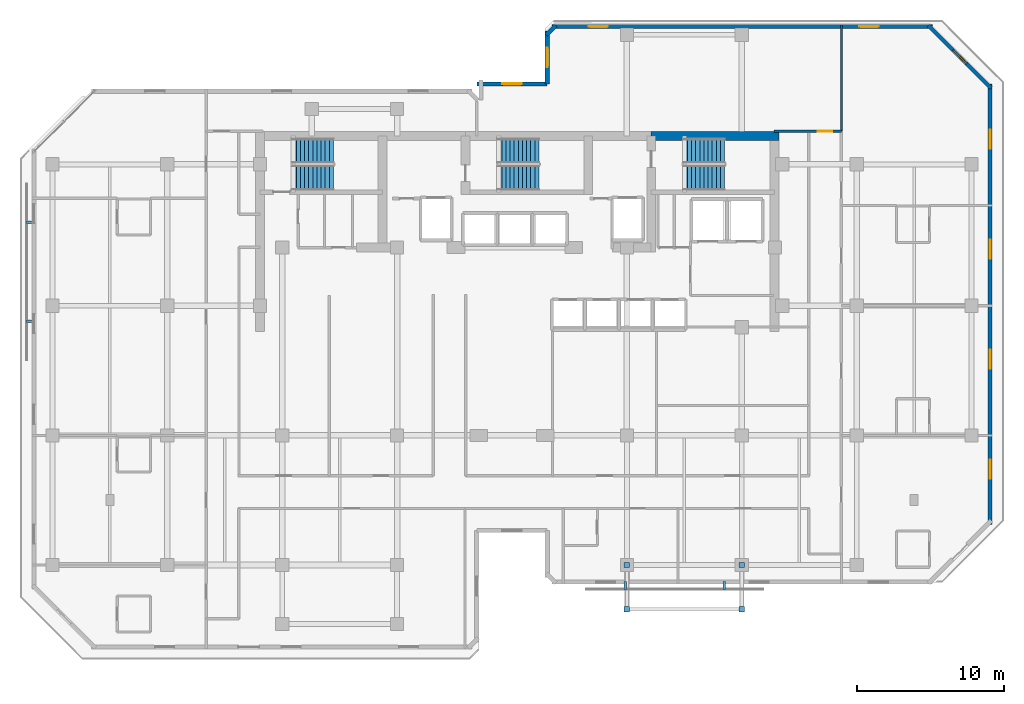
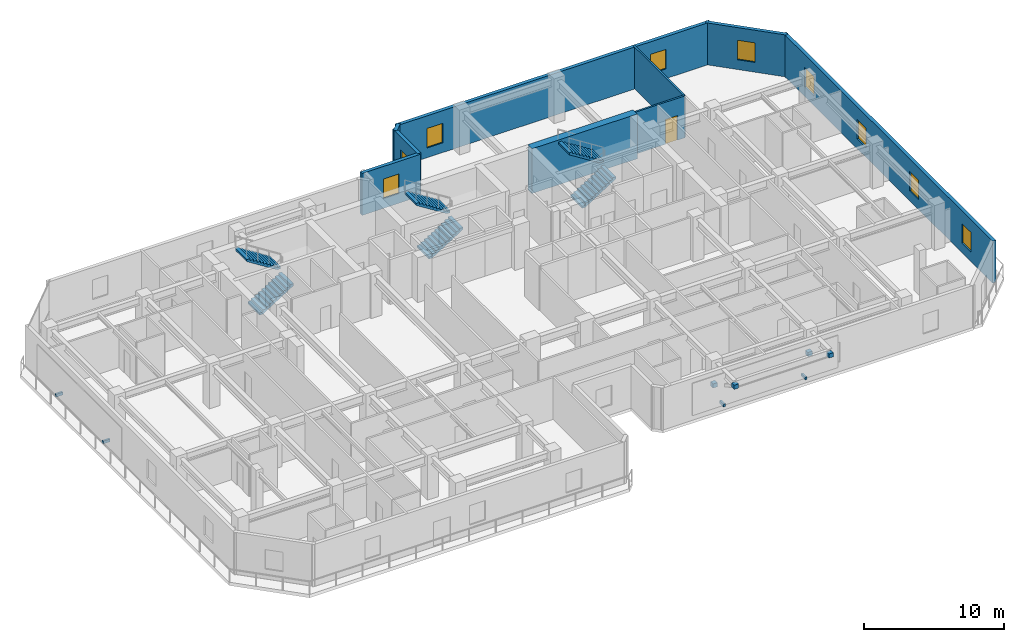
# One storey, part 8 of 10: 9 walls, 9 windows, 8 discrete accessories, 6 stair flights, 1 door, 10 openings, 3 elements without a shape of their own.
"""IFC4 building model written with IfcOpenShell, lengths in metres."""

from ifc_helpers import new_model, si_unit, direction, frame, frame_2d, origin, origin_2d, place, context, subcontext, project, spatial, polyline, rectangle, outline, extrude, material, layer, layer_set, type_object, element, fill, aggregate, save


model = new_model("IFC4")

# Units and contexts
model_context = context("Model", 3, precision=1e-05, world=origin(), true_north=direction((0.0, 1.0)))
body_context = subcontext(model_context, "Body", "Model", "MODEL_VIEW")
ifc_project = project(units=[si_unit("LENGTHUNIT", "METRE"), si_unit("AREAUNIT", "SQUARE_METRE"), si_unit("VOLUMEUNIT", "CUBIC_METRE"), si_unit("PLANEANGLEUNIT", "RADIAN"), si_unit("MASSUNIT", "GRAM", prefix="KILO")], contexts=[model_context])

# Site, building, storey
site_placement = place(None, origin())
site = spatial("IfcSite", under=ifc_project, at=site_placement, CompositionType="ELEMENT")
building_placement = place(site_placement, origin())
building = spatial("IfcBuilding", under=site, at=building_placement, Name="Kestravale Grand Hotel", CompositionType="ELEMENT")
storey_placement = place(building_placement, frame((0.0, 0.0, 189.0)))
storey = spatial("IfcBuildingStorey", under=building, at=storey_placement, Name="L47", CompositionType="ELEMENT", Elevation=189.0)

# Wall
ifc_material_1 = material(Name="Concrete f'c 50 MPa", Category="concrete")
ifc_layer_1 = layer(ifc_material_1, 0.60009765625)
ifc_layer_set_1 = layer_set([ifc_layer_1], Name="EW-CORE-600")
wall_type_1 = type_object("IfcWallType", Name="EW-CORE-600", PredefinedType="SHEAR", material=ifc_layer_set_1)
wall_1_placement = place(storey_placement, frame((48.449951171875, 40.320068359375, 0.0), z_axis=(0.0, 0.0, 1.0), x_axis=(1.0, 0.0, 0.0)))
element("IfcWall", 1, at=wall_1_placement, inside=storey, type_object=wall_type_1, Name="L47 core shear wall N3", PredefinedType="SHEAR", context=body_context, shape_type="SweptSolid", body=[
    extrude(rectangle(XDim=8.670166015625, YDim=0.60009765625, at=frame_2d((4.3349609375, 0.0))), origin(), (0.0, 0.0, 1.0), 3.89990234375),
])

# Wall, openings, windows
ifc_material_2 = material(Name="Precast concrete f'c 45 MPa", Category="concrete")
ifc_layer_2 = layer(ifc_material_2, 0.280029296875)
ifc_layer_set_2 = layer_set([ifc_layer_2], Name="EW-PREC-280")
wall_type_2 = type_object("IfcWallType", Name="EW-PREC-280", PredefinedType="SOLIDWALL", material=ifc_layer_set_2)
wall_2_placement = place(storey_placement, frame((71.4599609375, 13.9599609375, 0.0), z_axis=(0.0, 0.0, 1.0), x_axis=(0.0, 1.0, 0.0)))
wall_2 = element("IfcWall", 2, at=wall_2_placement, inside=storey, type_object=wall_type_2, Name="L47 fluted precast facade wall 9", PredefinedType="SOLIDWALL", context=body_context, shape_type="SweptSolid", body=[
    extrude(rectangle(XDim=29.880126953125, YDim=0.280029296875, at=frame_2d((14.93994140625, 0.0))), origin(), (0.0, 0.0, 1.0), 3.64990234375),
])
opening_1_placement = place(wall_2_placement, frame((3.0849609375, 0.0, 0.85009765625)))
opening_1 = element("IfcOpeningElement", 3, at=opening_1_placement, cuts=wall_2, Name="Opening W-GUEST-1300", PredefinedType="OPENING", context=body_context, shape_type="SweptSolid", body=[
    extrude(rectangle(XDim=1.300048828125, YDim=1.699951171875, at=frame_2d((0.64990234375, 0.85009765625))), frame((0.0, 0.14990234375, 0.0), z_axis=(0.0, -1.0, 0.0), x_axis=(1.0, 0.0, 0.0)), (0.0, 0.0, 1.0), 0.300048828125),
])
opening_2_placement = place(wall_2_placement, frame((10.554931640625, 0.0, 0.85009765625)))
opening_2 = element("IfcOpeningElement", 4, at=opening_2_placement, cuts=wall_2, Name="Opening W-GUEST-1300", PredefinedType="OPENING", context=body_context, shape_type="SweptSolid", body=[
    extrude(rectangle(XDim=1.300048828125, YDim=1.699951171875, at=frame_2d((0.64990234375, 0.85009765625))), frame((0.0, 0.14990234375, 0.0), z_axis=(0.0, -1.0, 0.0), x_axis=(1.0, 0.0, 0.0)), (0.0, 0.0, 1.0), 0.300048828125),
])
opening_3_placement = place(wall_2_placement, frame((18.02490234375, 0.0, 0.85009765625)))
opening_3 = element("IfcOpeningElement", 5, at=opening_3_placement, cuts=wall_2, Name="Opening W-GUEST-1300", PredefinedType="OPENING", context=body_context, shape_type="SweptSolid", body=[
    extrude(rectangle(XDim=1.300048828125, YDim=1.699951171875, at=frame_2d((0.64990234375, 0.85009765625))), frame((0.0, 0.14990234375, 0.0), z_axis=(0.0, -1.0, 0.0), x_axis=(1.0, 0.0, 0.0)), (0.0, 0.0, 1.0), 0.300048828125),
])
opening_4_placement = place(wall_2_placement, frame((25.4951171875, 0.0, 0.85009765625)))
opening_4 = element("IfcOpeningElement", 6, at=opening_4_placement, cuts=wall_2, Name="Opening W-GUEST-1300", PredefinedType="OPENING", context=body_context, shape_type="SweptSolid", body=[
    extrude(rectangle(XDim=1.300048828125, YDim=1.699951171875, at=frame_2d((0.64990234375, 0.85009765625))), frame((0.0, 0.14990234375, 0.0), z_axis=(0.0, -1.0, 0.0), x_axis=(1.0, 0.0, 0.0)), (0.0, 0.0, 1.0), 0.300048828125),
])
ifc_material_3 = material(Name="Insulated low-E double glazing in aluminium frame", Category="aluminium")
window_type = type_object("IfcWindowType", Name="W-GUEST-1300", PartitioningType="SINGLE_PANEL", PredefinedType="WINDOW", material=ifc_material_3)
window_1_placement = place(opening_1_placement, origin())
window_1 = element("IfcWindow", 7, at=window_1_placement, inside=storey, type_object=window_type, Name="L47 exterior window 9.1", OverallHeight=1.699951171875, OverallWidth=1.300048828125, PartitioningType="SINGLE_PANEL", PredefinedType="WINDOW", context=body_context, shape_type="SweptSolid", body=[
    extrude(rectangle(XDim=1.300048828125, YDim=1.699951171875, at=frame_2d((0.64990234375, 0.85009765625))), frame((0.0, 0.030029296875, 0.0), z_axis=(0.0, -1.0, 0.0), x_axis=(1.0, 0.0, 0.0)), (0.0, 0.0, 1.0), 0.06005859375),
])
fill(opening_1, window_1)
window_2_placement = place(opening_2_placement, origin())
window_2 = element("IfcWindow", 8, at=window_2_placement, inside=storey, type_object=window_type, Name="L47 exterior window 9.2", OverallHeight=1.699951171875, OverallWidth=1.300048828125, PartitioningType="SINGLE_PANEL", PredefinedType="WINDOW", context=body_context, shape_type="SweptSolid", body=[
    extrude(rectangle(XDim=1.300048828125, YDim=1.699951171875, at=frame_2d((0.64990234375, 0.85009765625))), frame((0.0, 0.030029296875, 0.0), z_axis=(0.0, -1.0, 0.0), x_axis=(1.0, 0.0, 0.0)), (0.0, 0.0, 1.0), 0.06005859375),
])
fill(opening_2, window_2)
window_3_placement = place(opening_3_placement, origin())
window_3 = element("IfcWindow", 9, at=window_3_placement, inside=storey, type_object=window_type, Name="L47 exterior window 9.3", OverallHeight=1.699951171875, OverallWidth=1.300048828125, PartitioningType="SINGLE_PANEL", PredefinedType="WINDOW", context=body_context, shape_type="SweptSolid", body=[
    extrude(rectangle(XDim=1.300048828125, YDim=1.699951171875, at=frame_2d((0.64990234375, 0.85009765625))), frame((0.0, 0.030029296875, 0.0), z_axis=(0.0, -1.0, 0.0), x_axis=(1.0, 0.0, 0.0)), (0.0, 0.0, 1.0), 0.06005859375),
])
fill(opening_3, window_3)
window_4_placement = place(opening_4_placement, origin())
window_4 = element("IfcWindow", 10, at=window_4_placement, inside=storey, type_object=window_type, Name="L47 exterior window 9.4", OverallHeight=1.699951171875, OverallWidth=1.300048828125, PartitioningType="SINGLE_PANEL", PredefinedType="WINDOW", context=body_context, shape_type="SweptSolid", body=[
    extrude(rectangle(XDim=1.300048828125, YDim=1.699951171875, at=frame_2d((0.64990234375, 0.85009765625))), frame((0.0, 0.030029296875, 0.0), z_axis=(0.0, -1.0, 0.0), x_axis=(1.0, 0.0, 0.0)), (0.0, 0.0, 1.0), 0.06005859375),
])
fill(opening_4, window_4)

# Wall, opening, window
wall_3_placement = place(storey_placement, frame((71.529296875, 43.57275390625, 0.0), z_axis=(0.0, 0.0, 1.0), x_axis=(-0.707106781187, 0.707106781187, 0.0)))
wall_3 = element("IfcWall", 11, at=wall_3_placement, inside=storey, type_object=wall_type_2, Name="L47 fluted precast facade wall 10", PredefinedType="SOLIDWALL", context=body_context, shape_type="SweptSolid", body=[
    extrude(rectangle(XDim=6.019775390625, YDim=0.280029296875, at=frame_2d((3.009765625, 0.0))), origin(), (0.0, 0.0, 1.0), 3.64990234375),
])
opening_5_placement = place(wall_3_placement, frame((2.35986328125, 0.0, 0.85009765625)))
opening_5 = element("IfcOpeningElement", 12, at=opening_5_placement, cuts=wall_3, Name="Opening W-GUEST-1300", PredefinedType="OPENING", context=body_context, shape_type="SweptSolid", body=[
    extrude(rectangle(XDim=1.300048828125, YDim=1.699951171875, at=frame_2d((0.64990234375, 0.85009765625))), frame((0.0, 0.14990234375, 0.0), z_axis=(0.0, -1.0, 0.0), x_axis=(1.0, 0.0, 0.0)), (0.0, 0.0, 1.0), 0.300048828125),
])
window_5_placement = place(opening_5_placement, origin())
window_5 = element("IfcWindow", 13, at=window_5_placement, inside=storey, type_object=window_type, Name="L47 exterior window 10.1", OverallHeight=1.699951171875, OverallWidth=1.300048828125, PartitioningType="SINGLE_PANEL", PredefinedType="WINDOW", context=body_context, shape_type="SweptSolid", body=[
    extrude(rectangle(XDim=1.300048828125, YDim=1.699951171875, at=frame_2d((0.64990234375, 0.85009765625))), frame((0.0, 0.030029296875, 0.0), z_axis=(0.0, -1.0, 0.0), x_axis=(1.0, 0.0, 0.0)), (0.0, 0.0, 1.0), 0.06005859375),
])
fill(opening_5, window_5)

# Wall, openings, windows
wall_4_placement = place(storey_placement, frame((67.5400390625, 47.760009765625, 0.0), z_axis=(0.0, 0.0, 1.0), x_axis=(-1.0, 0.0, 0.0)))
wall_4 = element("IfcWall", 14, at=wall_4_placement, inside=storey, type_object=wall_type_2, Name="L47 fluted precast facade wall 11", PredefinedType="SOLIDWALL", context=body_context, shape_type="SweptSolid", body=[
    extrude(rectangle(XDim=25.830078125, YDim=0.280029296875, at=frame_2d((12.9150390625, 0.0))), origin(), (0.0, 0.0, 1.0), 3.64990234375),
])
opening_6_placement = place(wall_4_placement, frame((3.655029296875, 0.0, 0.85009765625)))
opening_6 = element("IfcOpeningElement", 15, at=opening_6_placement, cuts=wall_4, Name="Opening W-GUEST-1300", PredefinedType="OPENING", context=body_context, shape_type="SweptSolid", body=[
    extrude(rectangle(XDim=1.300048828125, YDim=1.699951171875, at=frame_2d((0.64990234375, 0.85009765625))), frame((0.0, 0.14990234375, 0.0), z_axis=(0.0, -1.0, 0.0), x_axis=(1.0, 0.0, 0.0)), (0.0, 0.0, 1.0), 0.300048828125),
])
opening_7_placement = place(wall_4_placement, frame((22.02490234375, 0.0, 0.85009765625)))
opening_7 = element("IfcOpeningElement", 16, at=opening_7_placement, cuts=wall_4, Name="Opening W-GUEST-1300", PredefinedType="OPENING", context=body_context, shape_type="SweptSolid", body=[
    extrude(rectangle(XDim=1.300048828125, YDim=1.699951171875, at=frame_2d((0.64990234375, 0.85009765625))), frame((0.0, 0.14990234375, 0.0), z_axis=(0.0, -1.0, 0.0), x_axis=(1.0, 0.0, 0.0)), (0.0, 0.0, 1.0), 0.300048828125),
])
window_6_placement = place(opening_6_placement, origin())
window_6 = element("IfcWindow", 17, at=window_6_placement, inside=storey, type_object=window_type, Name="L47 exterior window 11.1", OverallHeight=1.699951171875, OverallWidth=1.300048828125, PartitioningType="SINGLE_PANEL", PredefinedType="WINDOW", context=body_context, shape_type="SweptSolid", body=[
    extrude(rectangle(XDim=1.300048828125, YDim=1.699951171875, at=frame_2d((0.64990234375, 0.85009765625))), frame((0.0, 0.030029296875, 0.0), z_axis=(0.0, -1.0, 0.0), x_axis=(1.0, 0.0, 0.0)), (0.0, 0.0, 1.0), 0.06005859375),
])
fill(opening_6, window_6)
window_7_placement = place(opening_7_placement, origin())
window_7 = element("IfcWindow", 18, at=window_7_placement, inside=storey, type_object=window_type, Name="L47 exterior window 11.2", OverallHeight=1.699951171875, OverallWidth=1.300048828125, PartitioningType="SINGLE_PANEL", PredefinedType="WINDOW", context=body_context, shape_type="SweptSolid", body=[
    extrude(rectangle(XDim=1.300048828125, YDim=1.699951171875, at=frame_2d((0.64990234375, 0.85009765625))), frame((0.0, 0.030029296875, 0.0), z_axis=(0.0, -1.0, 0.0), x_axis=(1.0, 0.0, 0.0)), (0.0, 0.0, 1.0), 0.06005859375),
])
fill(opening_7, window_7)

# Wall
wall_5_placement = place(storey_placement, frame((41.977294921875, 47.829345703125, 0.0), z_axis=(0.0, 0.0, 1.0), x_axis=(-0.706975312048, -0.707238225886, 0.0)))
element("IfcWall", 19, at=wall_5_placement, inside=storey, type_object=wall_type_2, Name="L47 fluted precast facade wall 12", PredefinedType="SOLIDWALL", context=body_context, shape_type="SweptSolid", body=[
    extrude(rectangle(XDim=0.9287109375, YDim=0.280029296875, at=frame_2d((0.46435546875, 0.0))), origin(), (0.0, 0.0, 1.0), 3.64990234375),
])

# Wall, opening, window
wall_6_placement = place(storey_placement, frame((41.389892578125, 47.43994140625, 0.0), z_axis=(0.0, 0.0, 1.0), x_axis=(0.0, -1.0, 0.0)))
wall_6 = element("IfcWall", 20, at=wall_6_placement, inside=storey, type_object=wall_type_2, Name="L47 fluted precast facade wall 13", PredefinedType="SOLIDWALL", context=body_context, shape_type="SweptSolid", body=[
    extrude(rectangle(XDim=3.579833984375, YDim=0.280029296875, at=frame_2d((1.7900390625, 0.0))), origin(), (0.0, 0.0, 1.0), 3.64990234375),
])
opening_8_placement = place(wall_6_placement, frame((1.139892578125, 0.0, 0.85009765625)))
opening_8 = element("IfcOpeningElement", 21, at=opening_8_placement, cuts=wall_6, Name="Opening W-GUEST-1300", PredefinedType="OPENING", context=body_context, shape_type="SweptSolid", body=[
    extrude(rectangle(XDim=1.300048828125, YDim=1.699951171875, at=frame_2d((0.64990234375, 0.85009765625))), frame((0.0, 0.14990234375, 0.0), z_axis=(0.0, -1.0, 0.0), x_axis=(1.0, 0.0, 0.0)), (0.0, 0.0, 1.0), 0.300048828125),
])
window_8_placement = place(opening_8_placement, origin())
window_8 = element("IfcWindow", 22, at=window_8_placement, inside=storey, type_object=window_type, Name="L47 exterior window 13.1", OverallHeight=1.699951171875, OverallWidth=1.300048828125, PartitioningType="SINGLE_PANEL", PredefinedType="WINDOW", context=body_context, shape_type="SweptSolid", body=[
    extrude(rectangle(XDim=1.300048828125, YDim=1.699951171875, at=frame_2d((0.64990234375, 0.85009765625))), frame((0.0, 0.030029296875, 0.0), z_axis=(0.0, -1.0, 0.0), x_axis=(1.0, 0.0, 0.0)), (0.0, 0.0, 1.0), 0.06005859375),
])
fill(opening_8, window_8)

wall_7_placement = place(storey_placement, frame((41.389892578125, 43.860107421875, 0.0), z_axis=(0.0, 0.0, 1.0), x_axis=(-1.0, 0.0, 0.0)))
wall_7 = element("IfcWall", 23, at=wall_7_placement, inside=storey, type_object=wall_type_2, Name="L47 fluted precast facade wall 14", PredefinedType="SOLIDWALL", context=body_context, shape_type="SweptSolid", body=[
    extrude(rectangle(XDim=4.77978515625, YDim=0.280029296875, at=frame_2d((2.389892578125, 0.0))), origin(), (0.0, 0.0, 1.0), 3.64990234375),
])
opening_9_placement = place(wall_7_placement, frame((1.739990234375, 0.0, 0.85009765625)))
opening_9 = element("IfcOpeningElement", 24, at=opening_9_placement, cuts=wall_7, Name="Opening W-GUEST-1300", PredefinedType="OPENING", context=body_context, shape_type="SweptSolid", body=[
    extrude(rectangle(XDim=1.300048828125, YDim=1.699951171875, at=frame_2d((0.64990234375, 0.85009765625))), frame((0.0, 0.14990234375, 0.0), z_axis=(0.0, -1.0, 0.0), x_axis=(1.0, 0.0, 0.0)), (0.0, 0.0, 1.0), 0.300048828125),
])
window_9_placement = place(opening_9_placement, origin())
window_9 = element("IfcWindow", 25, at=window_9_placement, inside=storey, type_object=window_type, Name="L47 exterior window 14.1", OverallHeight=1.699951171875, OverallWidth=1.300048828125, PartitioningType="SINGLE_PANEL", PredefinedType="WINDOW", context=body_context, shape_type="SweptSolid", body=[
    extrude(rectangle(XDim=1.300048828125, YDim=1.699951171875, at=frame_2d((0.64990234375, 0.85009765625))), frame((0.0, 0.030029296875, 0.0), z_axis=(0.0, -1.0, 0.0), x_axis=(1.0, 0.0, 0.0)), (0.0, 0.0, 1.0), 0.06005859375),
])
fill(opening_9, window_9)

# Wall, opening, door
ifc_material_4 = material(Name="Double-stud STC 52 acoustic demising partition", Category="other")
ifc_layer_3 = layer(ifc_material_4, 0.14990234375)
ifc_layer_set_3 = layer_set([ifc_layer_3], Name="IW-UNIT-150")
wall_type_3 = type_object("IfcWallType", Name="IW-UNIT-150", PredefinedType="PARTITIONING", material=ifc_layer_set_3)
wall_8_placement = place(storey_placement, frame((56.800048828125, 40.64990234375, 0.0), z_axis=(0.0, 0.0, 1.0), x_axis=(1.0, 0.0, 0.0)))
wall_8 = element("IfcWall", 26, at=wall_8_placement, inside=storey, type_object=wall_type_3, Name="W-L47-SE-N", PredefinedType="PARTITIONING", context=body_context, shape_type="SweptSolid", body=[
    extrude(rectangle(XDim=4.56005859375, YDim=0.14990234375, at=frame_2d((2.280029296875, 0.0))), origin(), (0.0, 0.0, 1.0), 3.64990234375),
])
opening_10_placement = place(wall_8_placement, frame((2.949951171875, 0.0, 0.0)))
opening_10 = element("IfcOpeningElement", 27, at=opening_10_placement, cuts=wall_8, Name="Opening D-GUEST-1000", PredefinedType="OPENING", context=body_context, shape_type="SweptSolid", body=[
    extrude(rectangle(XDim=1.0, YDim=2.14990234375, at=frame_2d((0.5, 1.074951171875))), frame((0.0, 0.0849609375, 0.0), z_axis=(0.0, -1.0, 0.0), x_axis=(1.0, 0.0, 0.0)), (0.0, 0.0, 1.0), 0.169921875),
])
ifc_material_5 = material(Name="Accessible walnut veneer hotel entrance fire door", Category="wood")
door_type = type_object("IfcDoorType", Name="D-GUEST-1000", OperationType="NOTDEFINED", PredefinedType="DOOR", material=ifc_material_5)
door_placement = place(opening_10_placement, origin())
door = element("IfcDoor", 28, at=door_placement, inside=storey, type_object=door_type, Name="L47 NE Gallery Door", OperationType="SINGLE_SWING_LEFT", OverallHeight=2.14990234375, OverallWidth=1.0, PredefinedType="DOOR", context=body_context, shape_type="SweptSolid", body=[
    extrude(rectangle(XDim=1.0, YDim=2.14990234375, at=frame_2d((0.5, 1.074951171875))), frame((0.0, 0.02490234375, 0.0), z_axis=(0.0, -1.0, 0.0), x_axis=(1.0, 0.0, 0.0)), (0.0, 0.0, 1.0), 0.050048828125),
])
fill(opening_10, door)

# Wall
wall_9_placement = place(storey_placement, frame((61.360107421875, 40.64990234375, 0.0), z_axis=(0.0, 0.0, 1.0), x_axis=(0.0, 1.0, 0.0)))
element("IfcWall", 29, at=wall_9_placement, inside=storey, type_object=wall_type_3, Name="W-L47-NGE-E", PredefinedType="PARTITIONING", context=body_context, shape_type="SweptSolid", body=[
    extrude(rectangle(XDim=7.22998046875, YDim=0.14990234375, at=frame_2d((3.614990234375, 0.0))), origin(), (0.0, 0.0, 1.0), 3.64990234375),
])

# Stair, stair flights
ifc_material_6 = material(Name="Concrete f'c 45 MPa", Category="concrete")
stair_type = type_object("IfcStairType", Name="ST-CORE-390", PredefinedType="HALF_TURN_STAIR", material=ifc_material_6)
stair_1_placement = place(storey_placement, origin())
stair_1 = element("IfcStair", 30, at=stair_1_placement, inside=storey, type_object=stair_type, Name="L47 ST-1", PredefinedType="HALF_TURN_STAIR")
ifc_material_7 = material(Name="Concrete f'c 45 MPa", Category="concrete")
stair_flight_type = type_object("IfcStairFlightType", Name="STF-CORE-390", PredefinedType="STRAIGHT", material=ifc_material_7)
stair_flight_1_placement = place(storey_placement, frame((24.080078125, 37.489990234375, 0.0), z_axis=(0.0, 0.0, 1.0), x_axis=(1.0, 0.0, 0.0)))
stair_flight_1 = element("IfcStairFlight", 31, at=stair_flight_1_placement, type_object=stair_flight_type, Name="ST-1 flight 1", NumberOfRisers=11, NumberOfTreads=10, PredefinedType="STRAIGHT", RiserHeight=0.177272727, TreadLength=0.28, context=body_context, shape_type="SweptSolid", body=[
    extrude(outline(polyline([(0.0, 0.0), (0.0, 0.17724609375), (0.280029296875, 0.17724609375), (0.280029296875, 0.3544921875), (0.56005859375, 0.3544921875), (0.56005859375, 0.53173828125), (0.840087890625, 0.53173828125), (0.840087890625, 0.708984375), (1.1201171875, 0.708984375), (1.1201171875, 0.886474609375), (1.39990234375, 0.886474609375), (1.39990234375, 1.063720703125), (1.679931640625, 1.063720703125), (1.679931640625, 1.240966796875), (1.9599609375, 1.240966796875), (1.9599609375, 1.418212890625), (2.239990234375, 1.418212890625), (2.239990234375, 1.595458984375), (2.52001953125, 1.595458984375), (2.52001953125, 1.772705078125), (2.800048828125, 1.772705078125), (2.800048828125, 1.949951171875), (2.800048828125, 1.59521484375), (0.2802734375, 0.0), (0.0, 0.0)])), frame((0.0, 0.83984375, 0.0), z_axis=(0.0, -1.0, 0.0), x_axis=(1.0, 0.0, 0.0)), (0.0, 0.0, 1.0), 1.679931640625),
])
stair_flight_2_placement = place(storey_placement, frame((26.8798828125, 39.320068359375, 1.949951171875), z_axis=(0.0, 0.0, 1.0), x_axis=(-1.0, 0.0, 0.0)))
stair_flight_2 = element("IfcStairFlight", 32, at=stair_flight_2_placement, type_object=stair_flight_type, Name="ST-1 flight 2", NumberOfRisers=11, NumberOfTreads=10, PredefinedType="STRAIGHT", RiserHeight=0.177272727, TreadLength=0.28, context=body_context, shape_type="SweptSolid", body=[
    extrude(outline(polyline([(0.0, 0.0), (0.0, 0.17724609375), (0.280029296875, 0.17724609375), (0.280029296875, 0.3544921875), (0.56005859375, 0.3544921875), (0.56005859375, 0.53173828125), (0.840087890625, 0.53173828125), (0.840087890625, 0.708984375), (1.1201171875, 0.708984375), (1.1201171875, 0.886474609375), (1.39990234375, 0.886474609375), (1.39990234375, 1.063720703125), (1.679931640625, 1.063720703125), (1.679931640625, 1.240966796875), (1.9599609375, 1.240966796875), (1.9599609375, 1.418212890625), (2.239990234375, 1.418212890625), (2.239990234375, 1.595458984375), (2.52001953125, 1.595458984375), (2.52001953125, 1.772705078125), (2.800048828125, 1.772705078125), (2.800048828125, 1.949951171875), (2.800048828125, 1.59521484375), (0.2802734375, 0.0), (0.0, 0.0)])), frame((0.0, 0.83984375, 0.0), z_axis=(0.0, -1.0, 0.0), x_axis=(1.0, 0.0, 0.0)), (0.0, 0.0, 1.0), 1.679931640625),
])
aggregate(stair_1, [stair_flight_1, stair_flight_2])

stair_2_placement = place(storey_placement, origin())
stair_2 = element("IfcStair", 33, at=stair_2_placement, inside=storey, type_object=stair_type, Name="L47 ST-2", PredefinedType="HALF_TURN_STAIR")
stair_flight_3_placement = place(storey_placement, frame((38.030029296875, 37.489990234375, 0.0), z_axis=(0.0, 0.0, 1.0), x_axis=(1.0, 0.0, 0.0)))
stair_flight_3 = element("IfcStairFlight", 34, at=stair_flight_3_placement, type_object=stair_flight_type, Name="ST-2 flight 1", NumberOfRisers=11, NumberOfTreads=10, PredefinedType="STRAIGHT", RiserHeight=0.177272727, TreadLength=0.28, context=body_context, shape_type="SweptSolid", body=[
    extrude(outline(polyline([(0.0, 0.0), (0.0, 0.17724609375), (0.280029296875, 0.17724609375), (0.280029296875, 0.3544921875), (0.56005859375, 0.3544921875), (0.56005859375, 0.53173828125), (0.840087890625, 0.53173828125), (0.840087890625, 0.708984375), (1.1201171875, 0.708984375), (1.1201171875, 0.886474609375), (1.39990234375, 0.886474609375), (1.39990234375, 1.063720703125), (1.679931640625, 1.063720703125), (1.679931640625, 1.240966796875), (1.9599609375, 1.240966796875), (1.9599609375, 1.418212890625), (2.239990234375, 1.418212890625), (2.239990234375, 1.595458984375), (2.52001953125, 1.595458984375), (2.52001953125, 1.772705078125), (2.800048828125, 1.772705078125), (2.800048828125, 1.949951171875), (2.800048828125, 1.59521484375), (0.2802734375, 0.0), (0.0, 0.0)])), frame((0.0, 0.83984375, 0.0), z_axis=(0.0, -1.0, 0.0), x_axis=(1.0, 0.0, 0.0)), (0.0, 0.0, 1.0), 1.679931640625),
])
stair_flight_4_placement = place(storey_placement, frame((40.830078125, 39.320068359375, 1.949951171875), z_axis=(0.0, 0.0, 1.0), x_axis=(-1.0, 0.0, 0.0)))
stair_flight_4 = element("IfcStairFlight", 35, at=stair_flight_4_placement, type_object=stair_flight_type, Name="ST-2 flight 2", NumberOfRisers=11, NumberOfTreads=10, PredefinedType="STRAIGHT", RiserHeight=0.177272727, TreadLength=0.28, context=body_context, shape_type="SweptSolid", body=[
    extrude(outline(polyline([(0.0, 0.0), (0.0, 0.17724609375), (0.280029296875, 0.17724609375), (0.280029296875, 0.3544921875), (0.56005859375, 0.3544921875), (0.56005859375, 0.53173828125), (0.840087890625, 0.53173828125), (0.840087890625, 0.708984375), (1.1201171875, 0.708984375), (1.1201171875, 0.886474609375), (1.39990234375, 0.886474609375), (1.39990234375, 1.063720703125), (1.679931640625, 1.063720703125), (1.679931640625, 1.240966796875), (1.9599609375, 1.240966796875), (1.9599609375, 1.418212890625), (2.239990234375, 1.418212890625), (2.239990234375, 1.595458984375), (2.52001953125, 1.595458984375), (2.52001953125, 1.772705078125), (2.800048828125, 1.772705078125), (2.800048828125, 1.949951171875), (2.800048828125, 1.59521484375), (0.2802734375, 0.0), (0.0, 0.0)])), frame((0.0, 0.83984375, 0.0), z_axis=(0.0, -1.0, 0.0), x_axis=(1.0, 0.0, 0.0)), (0.0, 0.0, 1.0), 1.679931640625),
])
aggregate(stair_2, [stair_flight_3, stair_flight_4])

stair_3_placement = place(storey_placement, origin())
stair_3 = element("IfcStair", 36, at=stair_3_placement, inside=storey, type_object=stair_type, Name="L47 ST-3", PredefinedType="HALF_TURN_STAIR")
stair_flight_5_placement = place(storey_placement, frame((50.6298828125, 37.489990234375, 0.0), z_axis=(0.0, 0.0, 1.0), x_axis=(1.0, 0.0, 0.0)))
stair_flight_5 = element("IfcStairFlight", 37, at=stair_flight_5_placement, type_object=stair_flight_type, Name="ST-3 flight 1", NumberOfRisers=11, NumberOfTreads=10, PredefinedType="STRAIGHT", RiserHeight=0.177272727, TreadLength=0.28, context=body_context, shape_type="SweptSolid", body=[
    extrude(outline(polyline([(0.0, 0.0), (0.0, 0.17724609375), (0.280029296875, 0.17724609375), (0.280029296875, 0.3544921875), (0.56005859375, 0.3544921875), (0.56005859375, 0.53173828125), (0.840087890625, 0.53173828125), (0.840087890625, 0.708984375), (1.1201171875, 0.708984375), (1.1201171875, 0.886474609375), (1.39990234375, 0.886474609375), (1.39990234375, 1.063720703125), (1.679931640625, 1.063720703125), (1.679931640625, 1.240966796875), (1.9599609375, 1.240966796875), (1.9599609375, 1.418212890625), (2.239990234375, 1.418212890625), (2.239990234375, 1.595458984375), (2.52001953125, 1.595458984375), (2.52001953125, 1.772705078125), (2.800048828125, 1.772705078125), (2.800048828125, 1.949951171875), (2.800048828125, 1.59521484375), (0.2802734375, 0.0), (0.0, 0.0)])), frame((0.0, 0.83984375, 0.0), z_axis=(0.0, -1.0, 0.0), x_axis=(1.0, 0.0, 0.0)), (0.0, 0.0, 1.0), 1.679931640625),
])
stair_flight_6_placement = place(storey_placement, frame((53.429931640625, 39.320068359375, 1.949951171875), z_axis=(0.0, 0.0, 1.0), x_axis=(-1.0, 0.0, 0.0)))
stair_flight_6 = element("IfcStairFlight", 38, at=stair_flight_6_placement, type_object=stair_flight_type, Name="ST-3 flight 2", NumberOfRisers=11, NumberOfTreads=10, PredefinedType="STRAIGHT", RiserHeight=0.177272727, TreadLength=0.28, context=body_context, shape_type="SweptSolid", body=[
    extrude(outline(polyline([(0.0, 0.0), (0.0, 0.17724609375), (0.280029296875, 0.17724609375), (0.280029296875, 0.3544921875), (0.56005859375, 0.3544921875), (0.56005859375, 0.53173828125), (0.840087890625, 0.53173828125), (0.840087890625, 0.708984375), (1.1201171875, 0.708984375), (1.1201171875, 0.886474609375), (1.39990234375, 0.886474609375), (1.39990234375, 1.063720703125), (1.679931640625, 1.063720703125), (1.679931640625, 1.240966796875), (1.9599609375, 1.240966796875), (1.9599609375, 1.418212890625), (2.239990234375, 1.418212890625), (2.239990234375, 1.595458984375), (2.52001953125, 1.595458984375), (2.52001953125, 1.772705078125), (2.800048828125, 1.772705078125), (2.800048828125, 1.949951171875), (2.800048828125, 1.59521484375), (0.2802734375, 0.0), (0.0, 0.0)])), frame((0.0, 0.83984375, 0.0), z_axis=(0.0, -1.0, 0.0), x_axis=(1.0, 0.0, 0.0)), (0.0, 0.0, 1.0), 1.679931640625),
])
aggregate(stair_3, [stair_flight_5, stair_flight_6])

# Discrete accessories
ifc_material_8 = material(Name="Steel ASTM A572 Grade 50 hot-dip galvanised bracket", Category="steel")
discrete_accessory_type = type_object("IfcDiscreteAccessoryType", Name="ACC-BRK-STL", PredefinedType="BRACKET", material=ifc_material_8)
for number, where, z_axis, x_axis, name in (
    (39, (46.800048828125, 11.199951171875, 1.2939453125), (0.0, 0.0, 1.0), (1.0, 0.0, 0.0), "L48 terrace strut column bracket 1"),
    (40, (46.800048828125, 8.199951171875, 2.994140625), (0.0, 0.0, 1.0), (1.0, 0.0, 0.0), "L48 terrace strut beam bracket 1"),
    (41, (54.60009765625, 11.199951171875, 1.2939453125), (0.0, 0.0, 1.0), (1.0, 0.0, 0.0), "L48 terrace strut column bracket 2"),
    (42, (54.60009765625, 8.199951171875, 2.994140625), (0.0, 0.0, 1.0), (1.0, 0.0, 0.0), "L48 terrace strut beam bracket 2"),
):
    element("IfcDiscreteAccessory", number, at=place(storey_placement, frame(where, z_axis=z_axis, x_axis=x_axis)), inside=storey, type_object=discrete_accessory_type, Name=name, PredefinedType="BRACKET", context=body_context, shape_type="SweptSolid", body=[
        extrude(rectangle(XDim=0.360107421875, YDim=0.360107421875, at=origin_2d()), origin(), (0.0, 0.0, 1.0), 0.360107421875),
    ])
for number, where, z_axis, x_axis, name in (
    (43, (46.68994140625, 9.804931640625, 0.56005859375), (0.0, 0.0, 1.0), (1.0, 0.0, 0.0), "L47 solar screen standoff bracket 1"),
    (44, (53.409912109375, 9.804931640625, 0.56005859375), (0.0, 0.0, 1.0), (1.0, 0.0, 0.0), "L47 solar screen standoff bracket 2"),
    (45, (6.304931640625, 34.4599609375, 0.56005859375), (0.0, 0.0, 1.0), (0.0, -1.0, 0.0), "L47 solar screen standoff bracket 1"),
    (46, (6.304931640625, 27.739990234375, 0.56005859375), (0.0, 0.0, 1.0), (0.0, -1.0, 0.0), "L47 solar screen standoff bracket 2"),
):
    element("IfcDiscreteAccessory", number, at=place(storey_placement, frame(where, z_axis=z_axis, x_axis=x_axis)), inside=storey, type_object=discrete_accessory_type, Name=name, PredefinedType="BRACKET", context=body_context, shape_type="SweptSolid", body=[
        extrude(rectangle(XDim=0.159912109375, YDim=0.56005859375, at=origin_2d()), origin(), (0.0, 0.0, 1.0), 0.239990234375),
    ])

save(model, "model.ifc")
